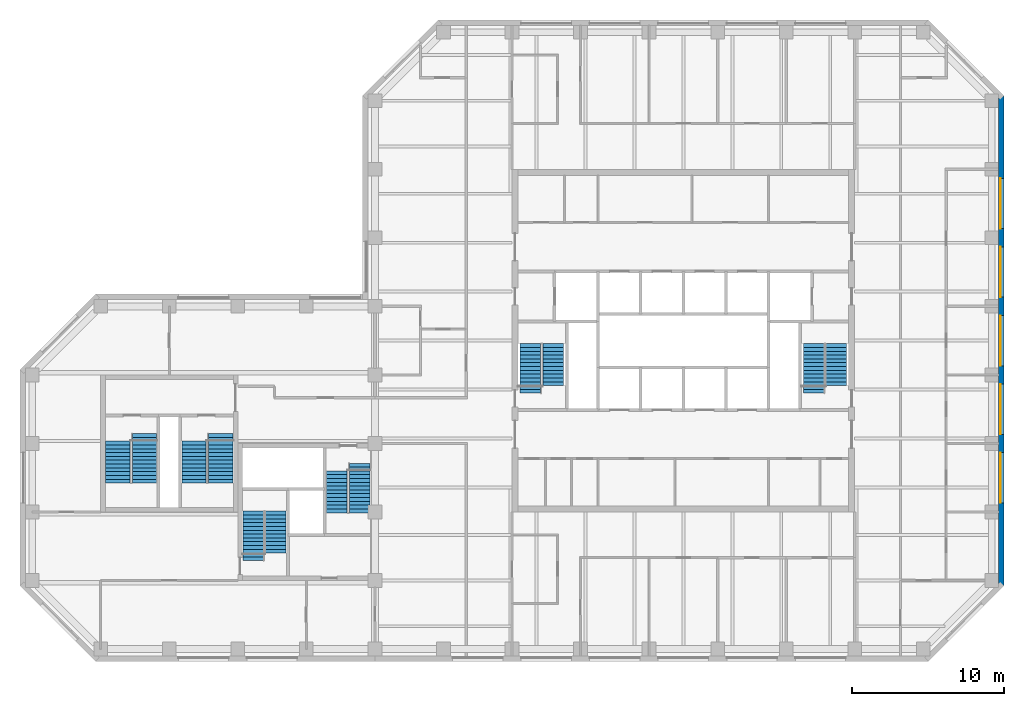
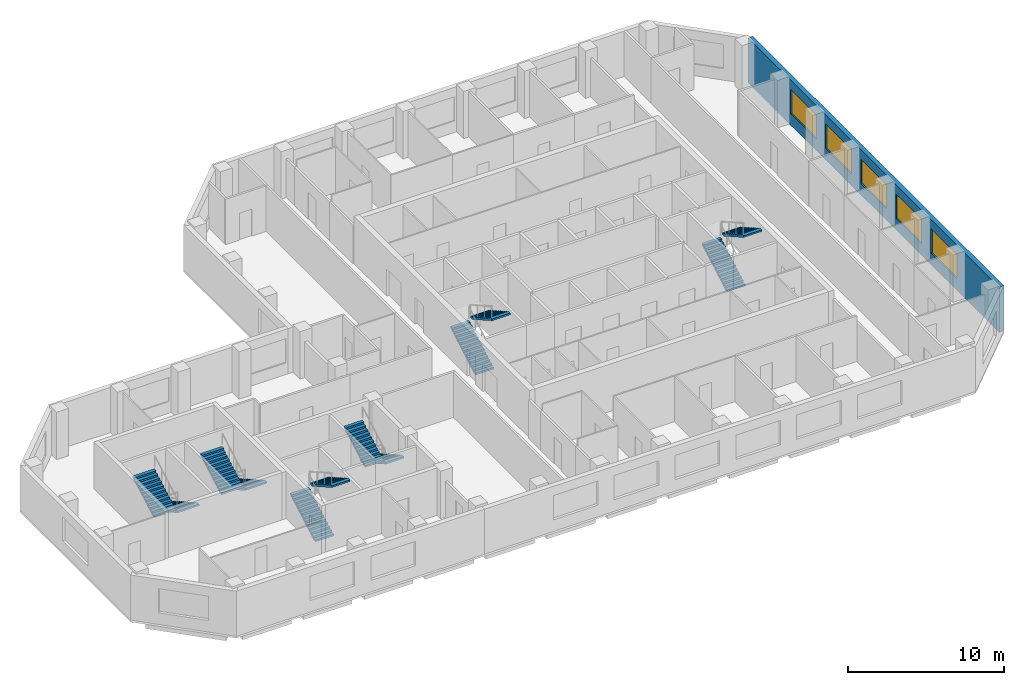
# One storey, part 8 of 9: 12 stair flights, 5 windows, 1 wall, 5 openings, 6 elements without a shape of their own.
"""IFC4 building model written with IfcOpenShell, lengths in metres."""

from ifc_helpers import new_model, si_unit, direction, frame, frame_2d, origin, place, context, subcontext, project, spatial, polyline, rectangle, outline, extrude, material, layer, layer_set, constituent, constituent_set, type_object, element, fill, aggregate, save


model = new_model("IFC4")

# Units and contexts
model_context = context("Model", 3, precision=1e-05, world=origin(), true_north=direction((0.0, 1.0)))
body_context = subcontext(model_context, "Body", "Model", "MODEL_VIEW")
ifc_project = project(units=[si_unit("LENGTHUNIT", "METRE"), si_unit("AREAUNIT", "SQUARE_METRE"), si_unit("VOLUMEUNIT", "CUBIC_METRE"), si_unit("PLANEANGLEUNIT", "RADIAN"), si_unit("MASSUNIT", "GRAM", prefix="KILO")], contexts=[model_context])

# Site, building, storey
site_placement = place(None, origin())
site = spatial("IfcSite", under=ifc_project, at=site_placement, CompositionType="ELEMENT")
building_placement = place(site_placement, origin())
building = spatial("IfcBuilding", under=site, at=building_placement, Name="Quoin Convention Tower", CompositionType="ELEMENT")
storey_placement = place(building_placement, frame((0.0, 0.0, 147.699951171875)))
storey = spatial("IfcBuildingStorey", under=building, at=storey_placement, Name="L38", CompositionType="ELEMENT", Elevation=147.699951171875)

# Wall, openings, windows
ifc_material_1 = material(Name="Brick masonry", Category="masonry")
ifc_layer = layer(ifc_material_1, 0.35009765625)
ifc_layer_set = layer_set([ifc_layer], Name="Brick masonry")
wall_type = type_object("IfcWallType", Name="Brick facade wall", PredefinedType="STANDARD", material=ifc_layer_set)
wall_placement = place(storey_placement, frame((77.125, 44.668701171875, 0.0), z_axis=(0.0, 0.0, 1.0), x_axis=(0.0, 1.0, 0.0)))
wall = element("IfcWall", 1, at=wall_placement, inside=storey, type_object=wall_type, Name="fw-L38-76500_45000", PredefinedType="STANDARD", context=body_context, shape_type="SweptSolid", body=[
    extrude(rectangle(XDim=32.16259765625, YDim=0.35009765625, at=frame_2d((16.081298828125, 0.0))), origin(), (0.0, 0.0, 1.0), 3.525146484375),
])
opening_1_placement = place(wall_placement, frame((5.431396484375, 0.0, 0.89990234375)))
opening_1 = element("IfcOpeningElement", 2, at=opening_1_placement, cuts=wall, Name="Opening W-02", PredefinedType="OPENING", context=body_context, shape_type="SweptSolid", body=[
    extrude(rectangle(XDim=3.300048828125, YDim=1.89990234375, at=frame_2d((1.64990234375, 0.949951171875))), frame((0.0, 0.18505859375, 0.0), z_axis=(0.0, -1.0, 0.0), x_axis=(1.0, 0.0, 0.0)), (0.0, 0.0, 1.0), 0.3701171875),
])
opening_2_placement = place(wall_placement, frame((9.931396484375, 0.0, 0.89990234375)))
opening_2 = element("IfcOpeningElement", 3, at=opening_2_placement, cuts=wall, Name="Opening W-02", PredefinedType="OPENING", context=body_context, shape_type="SweptSolid", body=[
    extrude(rectangle(XDim=3.300048828125, YDim=1.89990234375, at=frame_2d((1.64990234375, 0.949951171875))), frame((0.0, 0.18505859375, 0.0), z_axis=(0.0, -1.0, 0.0), x_axis=(1.0, 0.0, 0.0)), (0.0, 0.0, 1.0), 0.3701171875),
])
opening_3_placement = place(wall_placement, frame((14.431396484375, 0.0, 0.89990234375)))
opening_3 = element("IfcOpeningElement", 4, at=opening_3_placement, cuts=wall, Name="Opening W-02", PredefinedType="OPENING", context=body_context, shape_type="SweptSolid", body=[
    extrude(rectangle(XDim=3.300048828125, YDim=1.89990234375, at=frame_2d((1.64990234375, 0.949951171875))), frame((0.0, 0.18505859375, 0.0), z_axis=(0.0, -1.0, 0.0), x_axis=(1.0, 0.0, 0.0)), (0.0, 0.0, 1.0), 0.3701171875),
])
opening_4_placement = place(wall_placement, frame((18.931396484375, 0.0, 0.89990234375)))
opening_4 = element("IfcOpeningElement", 5, at=opening_4_placement, cuts=wall, Name="Opening W-02", PredefinedType="OPENING", context=body_context, shape_type="SweptSolid", body=[
    extrude(rectangle(XDim=3.300048828125, YDim=1.89990234375, at=frame_2d((1.64990234375, 0.949951171875))), frame((0.0, 0.18505859375, 0.0), z_axis=(0.0, -1.0, 0.0), x_axis=(1.0, 0.0, 0.0)), (0.0, 0.0, 1.0), 0.3701171875),
])
opening_5_placement = place(wall_placement, frame((23.431396484375, 0.0, 0.89990234375)))
opening_5 = element("IfcOpeningElement", 6, at=opening_5_placement, cuts=wall, Name="Opening W-02", PredefinedType="OPENING", context=body_context, shape_type="SweptSolid", body=[
    extrude(rectangle(XDim=3.300048828125, YDim=1.89990234375, at=frame_2d((1.64990234375, 0.949951171875))), frame((0.0, 0.18505859375, 0.0), z_axis=(0.0, -1.0, 0.0), x_axis=(1.0, 0.0, 0.0)), (0.0, 0.0, 1.0), 0.3701171875),
])
ifc_material_2 = material(Name="Aluminium", Category="aluminium")
ifc_constituent_1 = constituent(ifc_material_2, Name="Frame")
ifc_material_3 = material(Name="Insulated glass", Category="glass")
ifc_constituent_2 = constituent(ifc_material_3, Name="Glazing")
ifc_constituent_set = constituent_set(constituents=[ifc_constituent_1, ifc_constituent_2], Name="Aluminium")
window_type = type_object("IfcWindowType", Name="Office window", PartitioningType="DOUBLE_PANEL_VERTICAL", PredefinedType="WINDOW", material=ifc_constituent_set)
window_1_placement = place(opening_1_placement, origin())
window_1 = element("IfcWindow", 7, at=window_1_placement, inside=storey, type_object=window_type, Name="win-L38-77125_51750", OverallHeight=1.89990234375, OverallWidth=3.300048828125, PartitioningType="SINGLE_PANEL", PredefinedType="WINDOW", context=body_context, shape_type="SweptSolid", body=[
    extrude(rectangle(XDim=3.300048828125, YDim=1.89990234375, at=frame_2d((1.64990234375, 0.949951171875))), frame((0.0, 0.0849609375, 0.0), z_axis=(0.0, -1.0, 0.0), x_axis=(1.0, 0.0, 0.0)), (0.0, 0.0, 1.0), 0.06005859375),
])
fill(opening_1, window_1)
window_2_placement = place(opening_2_placement, origin())
window_2 = element("IfcWindow", 8, at=window_2_placement, inside=storey, type_object=window_type, Name="win-L38-77125_56250", OverallHeight=1.89990234375, OverallWidth=3.300048828125, PartitioningType="SINGLE_PANEL", PredefinedType="WINDOW", context=body_context, shape_type="SweptSolid", body=[
    extrude(rectangle(XDim=3.300048828125, YDim=1.89990234375, at=frame_2d((1.64990234375, 0.949951171875))), frame((0.0, 0.0849609375, 0.0), z_axis=(0.0, -1.0, 0.0), x_axis=(1.0, 0.0, 0.0)), (0.0, 0.0, 1.0), 0.06005859375),
])
fill(opening_2, window_2)
window_3_placement = place(opening_3_placement, origin())
window_3 = element("IfcWindow", 9, at=window_3_placement, inside=storey, type_object=window_type, Name="win-L38-77125_60750", OverallHeight=1.89990234375, OverallWidth=3.300048828125, PartitioningType="SINGLE_PANEL", PredefinedType="WINDOW", context=body_context, shape_type="SweptSolid", body=[
    extrude(rectangle(XDim=3.300048828125, YDim=1.89990234375, at=frame_2d((1.64990234375, 0.949951171875))), frame((0.0, 0.0849609375, 0.0), z_axis=(0.0, -1.0, 0.0), x_axis=(1.0, 0.0, 0.0)), (0.0, 0.0, 1.0), 0.06005859375),
])
fill(opening_3, window_3)
window_4_placement = place(opening_4_placement, origin())
window_4 = element("IfcWindow", 10, at=window_4_placement, inside=storey, type_object=window_type, Name="win-L38-77125_65250", OverallHeight=1.89990234375, OverallWidth=3.300048828125, PartitioningType="SINGLE_PANEL", PredefinedType="WINDOW", context=body_context, shape_type="SweptSolid", body=[
    extrude(rectangle(XDim=3.300048828125, YDim=1.89990234375, at=frame_2d((1.64990234375, 0.949951171875))), frame((0.0, 0.0849609375, 0.0), z_axis=(0.0, -1.0, 0.0), x_axis=(1.0, 0.0, 0.0)), (0.0, 0.0, 1.0), 0.06005859375),
])
fill(opening_4, window_4)
window_5_placement = place(opening_5_placement, origin())
window_5 = element("IfcWindow", 11, at=window_5_placement, inside=storey, type_object=window_type, Name="win-L38-77125_69750", OverallHeight=1.89990234375, OverallWidth=3.300048828125, PartitioningType="SINGLE_PANEL", PredefinedType="WINDOW", context=body_context, shape_type="SweptSolid", body=[
    extrude(rectangle(XDim=3.300048828125, YDim=1.89990234375, at=frame_2d((1.64990234375, 0.949951171875))), frame((0.0, 0.0849609375, 0.0), z_axis=(0.0, -1.0, 0.0), x_axis=(1.0, 0.0, 0.0)), (0.0, 0.0, 1.0), 0.06005859375),
])
fill(opening_5, window_5)

# Stair, stair flights
ifc_material_4 = material(Name="Concrete C40", Category="concrete")
stair_type_1 = type_object("IfcStairType", Name="Exit stair two-flight 1350", PredefinedType="HALF_TURN_STAIR", material=ifc_material_4)
stair_1_placement = place(storey_placement, origin())
stair_1 = element("IfcStair", 12, at=stair_1_placement, inside=storey, type_object=stair_type_1, Name="SD1 L38", PredefinedType="HALF_TURN_STAIR")
stair_flight_type_1 = type_object("IfcStairFlightType", Name="Stair flight 1350", PredefinedType="STRAIGHT", material=ifc_material_4)
stair_flight_1_placement = place(storey_placement, frame((46.199951171875, 57.300048828125, 0.0), z_axis=(0.0, 0.0, 1.0), x_axis=(0.0, 1.0, 0.0)))
stair_flight_1 = element("IfcStairFlight", 13, at=stair_flight_1_placement, type_object=stair_flight_type_1, Name="ST1 flight 1", NumberOfRisers=14, NumberOfTreads=13, PredefinedType="STRAIGHT", RiserHeight=0.142307692, TreadLength=0.25, context=body_context, shape_type="SweptSolid", body=[
    extrude(outline(polyline([(0.0, 0.0), (0.0, 0.142333984375), (0.25, 0.142333984375), (0.25, 0.28466796875), (0.5, 0.28466796875), (0.5, 0.427001953125), (0.75, 0.427001953125), (0.75, 0.5693359375), (1.0, 0.5693359375), (1.0, 0.71142578125), (1.25, 0.71142578125), (1.25, 0.853759765625), (1.5, 0.853759765625), (1.5, 0.99609375), (1.75, 0.99609375), (1.75, 1.138427734375), (2.0, 1.138427734375), (2.0, 1.28076171875), (2.25, 1.28076171875), (2.25, 1.423095703125), (2.5, 1.423095703125), (2.5, 1.5654296875), (2.75, 1.5654296875), (2.75, 1.707763671875), (3.0, 1.707763671875), (3.0, 1.85009765625), (3.25, 1.85009765625), (3.25, 1.9921875), (3.25, 1.711669921875), (0.242919921875, 0.0), (0.0, 0.0)])), frame((0.0, 0.675048828125, 0.0), z_axis=(0.0, -1.0, 0.0), x_axis=(1.0, 0.0, 0.0)), (0.0, 0.0, 1.0), 1.35009765625),
])
stair_flight_2_placement = place(storey_placement, frame((47.699951171875, 60.550048828125, 1.992431640625), z_axis=(0.0, 0.0, 1.0), x_axis=(0.0, -1.0, 0.0)))
stair_flight_2 = element("IfcStairFlight", 14, at=stair_flight_2_placement, type_object=stair_flight_type_1, Name="ST1 flight 2", NumberOfRisers=12, NumberOfTreads=11, PredefinedType="STRAIGHT", RiserHeight=0.142307692, TreadLength=0.25, context=body_context, shape_type="SweptSolid", body=[
    extrude(outline(polyline([(0.0, 0.0), (0.0, 0.142333984375), (0.25, 0.142333984375), (0.25, 0.28466796875), (0.5, 0.28466796875), (0.5, 0.427001953125), (0.75, 0.427001953125), (0.75, 0.5693359375), (1.0, 0.5693359375), (1.0, 0.71142578125), (1.25, 0.71142578125), (1.25, 0.853759765625), (1.5, 0.853759765625), (1.5, 0.99609375), (1.75, 0.99609375), (1.75, 1.138427734375), (2.0, 1.138427734375), (2.0, 1.28076171875), (2.25, 1.28076171875), (2.25, 1.423095703125), (2.5, 1.423095703125), (2.5, 1.5654296875), (2.75, 1.5654296875), (2.75, 1.707763671875), (2.75, 1.42724609375), (0.242919921875, 0.0), (0.0, 0.0)])), frame((0.0, 0.675048828125, 0.0), z_axis=(0.0, -1.0, 0.0), x_axis=(1.0, 0.0, 0.0)), (0.0, 0.0, 1.0), 1.35009765625),
])
aggregate(stair_1, [stair_flight_1, stair_flight_2])

stair_2_placement = place(storey_placement, origin())
stair_2 = element("IfcStair", 15, at=stair_2_placement, inside=storey, type_object=stair_type_1, Name="SD2 L38", PredefinedType="HALF_TURN_STAIR")
stair_flight_3_placement = place(storey_placement, frame((64.800048828125, 57.300048828125, 0.0), z_axis=(0.0, 0.0, 1.0), x_axis=(0.0, 1.0, 0.0)))
stair_flight_3 = element("IfcStairFlight", 16, at=stair_flight_3_placement, type_object=stair_flight_type_1, Name="ST2 flight 1", NumberOfRisers=14, NumberOfTreads=13, PredefinedType="STRAIGHT", RiserHeight=0.142307692, TreadLength=0.25, context=body_context, shape_type="SweptSolid", body=[
    extrude(outline(polyline([(0.0, 0.0), (0.0, 0.142333984375), (0.25, 0.142333984375), (0.25, 0.28466796875), (0.5, 0.28466796875), (0.5, 0.427001953125), (0.75, 0.427001953125), (0.75, 0.5693359375), (1.0, 0.5693359375), (1.0, 0.71142578125), (1.25, 0.71142578125), (1.25, 0.853759765625), (1.5, 0.853759765625), (1.5, 0.99609375), (1.75, 0.99609375), (1.75, 1.138427734375), (2.0, 1.138427734375), (2.0, 1.28076171875), (2.25, 1.28076171875), (2.25, 1.423095703125), (2.5, 1.423095703125), (2.5, 1.5654296875), (2.75, 1.5654296875), (2.75, 1.707763671875), (3.0, 1.707763671875), (3.0, 1.85009765625), (3.25, 1.85009765625), (3.25, 1.9921875), (3.25, 1.711669921875), (0.242919921875, 0.0), (0.0, 0.0)])), frame((0.0, 0.675048828125, 0.0), z_axis=(0.0, -1.0, 0.0), x_axis=(1.0, 0.0, 0.0)), (0.0, 0.0, 1.0), 1.35009765625),
])
stair_flight_4_placement = place(storey_placement, frame((66.300048828125, 60.550048828125, 1.992431640625), z_axis=(0.0, 0.0, 1.0), x_axis=(0.0, -1.0, 0.0)))
stair_flight_4 = element("IfcStairFlight", 17, at=stair_flight_4_placement, type_object=stair_flight_type_1, Name="ST2 flight 2", NumberOfRisers=12, NumberOfTreads=11, PredefinedType="STRAIGHT", RiserHeight=0.142307692, TreadLength=0.25, context=body_context, shape_type="SweptSolid", body=[
    extrude(outline(polyline([(0.0, 0.0), (0.0, 0.142333984375), (0.25, 0.142333984375), (0.25, 0.28466796875), (0.5, 0.28466796875), (0.5, 0.427001953125), (0.75, 0.427001953125), (0.75, 0.5693359375), (1.0, 0.5693359375), (1.0, 0.71142578125), (1.25, 0.71142578125), (1.25, 0.853759765625), (1.5, 0.853759765625), (1.5, 0.99609375), (1.75, 0.99609375), (1.75, 1.138427734375), (2.0, 1.138427734375), (2.0, 1.28076171875), (2.25, 1.28076171875), (2.25, 1.423095703125), (2.5, 1.423095703125), (2.5, 1.5654296875), (2.75, 1.5654296875), (2.75, 1.707763671875), (2.75, 1.42724609375), (0.242919921875, 0.0), (0.0, 0.0)])), frame((0.0, 0.675048828125, 0.0), z_axis=(0.0, -1.0, 0.0), x_axis=(1.0, 0.0, 0.0)), (0.0, 0.0, 1.0), 1.35009765625),
])
aggregate(stair_2, [stair_flight_3, stair_flight_4])

stair_3_placement = place(storey_placement, origin())
stair_3 = element("IfcStair", 18, at=stair_3_placement, inside=storey, type_object=stair_type_1, Name="SD3 L38", PredefinedType="HALF_TURN_STAIR")
stair_flight_5_placement = place(storey_placement, frame((28.0, 46.300048828125, 0.0), z_axis=(0.0, 0.0, 1.0), x_axis=(0.0, 1.0, 0.0)))
stair_flight_5 = element("IfcStairFlight", 19, at=stair_flight_5_placement, type_object=stair_flight_type_1, Name="ST3 flight 1", NumberOfRisers=14, NumberOfTreads=13, PredefinedType="STRAIGHT", RiserHeight=0.142307692, TreadLength=0.25, context=body_context, shape_type="SweptSolid", body=[
    extrude(outline(polyline([(0.0, 0.0), (0.0, 0.142333984375), (0.25, 0.142333984375), (0.25, 0.28466796875), (0.5, 0.28466796875), (0.5, 0.427001953125), (0.75, 0.427001953125), (0.75, 0.5693359375), (1.0, 0.5693359375), (1.0, 0.71142578125), (1.25, 0.71142578125), (1.25, 0.853759765625), (1.5, 0.853759765625), (1.5, 0.99609375), (1.75, 0.99609375), (1.75, 1.138427734375), (2.0, 1.138427734375), (2.0, 1.28076171875), (2.25, 1.28076171875), (2.25, 1.423095703125), (2.5, 1.423095703125), (2.5, 1.5654296875), (2.75, 1.5654296875), (2.75, 1.707763671875), (3.0, 1.707763671875), (3.0, 1.85009765625), (3.25, 1.85009765625), (3.25, 1.9921875), (3.25, 1.711669921875), (0.242919921875, 0.0), (0.0, 0.0)])), frame((0.0, 0.675048828125, 0.0), z_axis=(0.0, -1.0, 0.0), x_axis=(1.0, 0.0, 0.0)), (0.0, 0.0, 1.0), 1.35009765625),
])
stair_flight_6_placement = place(storey_placement, frame((29.5, 49.550048828125, 1.992431640625), z_axis=(0.0, 0.0, 1.0), x_axis=(0.0, -1.0, 0.0)))
stair_flight_6 = element("IfcStairFlight", 20, at=stair_flight_6_placement, type_object=stair_flight_type_1, Name="ST3 flight 2", NumberOfRisers=12, NumberOfTreads=11, PredefinedType="STRAIGHT", RiserHeight=0.142307692, TreadLength=0.25, context=body_context, shape_type="SweptSolid", body=[
    extrude(outline(polyline([(0.0, 0.0), (0.0, 0.142333984375), (0.25, 0.142333984375), (0.25, 0.28466796875), (0.5, 0.28466796875), (0.5, 0.427001953125), (0.75, 0.427001953125), (0.75, 0.5693359375), (1.0, 0.5693359375), (1.0, 0.71142578125), (1.25, 0.71142578125), (1.25, 0.853759765625), (1.5, 0.853759765625), (1.5, 0.99609375), (1.75, 0.99609375), (1.75, 1.138427734375), (2.0, 1.138427734375), (2.0, 1.28076171875), (2.25, 1.28076171875), (2.25, 1.423095703125), (2.5, 1.423095703125), (2.5, 1.5654296875), (2.75, 1.5654296875), (2.75, 1.707763671875), (2.75, 1.42724609375), (0.242919921875, 0.0), (0.0, 0.0)])), frame((0.0, 0.675048828125, 0.0), z_axis=(0.0, -1.0, 0.0), x_axis=(1.0, 0.0, 0.0)), (0.0, 0.0, 1.0), 1.35009765625),
])
aggregate(stair_3, [stair_flight_5, stair_flight_6])

stair_4_placement = place(storey_placement, origin())
stair_4 = element("IfcStair", 21, at=stair_4_placement, inside=storey, type_object=stair_type_1, Name="SD4 L38", PredefinedType="HALF_TURN_STAIR")
stair_flight_7_placement = place(storey_placement, frame((35.0, 52.699951171875, 0.0), z_axis=(0.0, 0.0, 1.0), x_axis=(0.0, -1.0, 0.0)))
stair_flight_7 = element("IfcStairFlight", 22, at=stair_flight_7_placement, type_object=stair_flight_type_1, Name="ST4 flight 1", NumberOfRisers=14, NumberOfTreads=13, PredefinedType="STRAIGHT", RiserHeight=0.142307692, TreadLength=0.25, context=body_context, shape_type="SweptSolid", body=[
    extrude(outline(polyline([(0.0, 0.0), (0.0, 0.142333984375), (0.25, 0.142333984375), (0.25, 0.28466796875), (0.5, 0.28466796875), (0.5, 0.427001953125), (0.75, 0.427001953125), (0.75, 0.5693359375), (1.0, 0.5693359375), (1.0, 0.71142578125), (1.25, 0.71142578125), (1.25, 0.853759765625), (1.5, 0.853759765625), (1.5, 0.99609375), (1.75, 0.99609375), (1.75, 1.138427734375), (2.0, 1.138427734375), (2.0, 1.28076171875), (2.25, 1.28076171875), (2.25, 1.423095703125), (2.5, 1.423095703125), (2.5, 1.5654296875), (2.75, 1.5654296875), (2.75, 1.707763671875), (3.0, 1.707763671875), (3.0, 1.85009765625), (3.25, 1.85009765625), (3.25, 1.9921875), (3.25, 1.711669921875), (0.242919921875, 0.0), (0.0, 0.0)])), frame((0.0, 0.675048828125, 0.0), z_axis=(0.0, -1.0, 0.0), x_axis=(1.0, 0.0, 0.0)), (0.0, 0.0, 1.0), 1.35009765625),
])
stair_flight_8_placement = place(storey_placement, frame((33.5, 49.449951171875, 1.992431640625), z_axis=(0.0, 0.0, 1.0), x_axis=(0.0, 1.0, 0.0)))
stair_flight_8 = element("IfcStairFlight", 23, at=stair_flight_8_placement, type_object=stair_flight_type_1, Name="ST4 flight 2", NumberOfRisers=12, NumberOfTreads=11, PredefinedType="STRAIGHT", RiserHeight=0.142307692, TreadLength=0.25, context=body_context, shape_type="SweptSolid", body=[
    extrude(outline(polyline([(0.0, 0.0), (0.0, 0.142333984375), (0.25, 0.142333984375), (0.25, 0.28466796875), (0.5, 0.28466796875), (0.5, 0.427001953125), (0.75, 0.427001953125), (0.75, 0.5693359375), (1.0, 0.5693359375), (1.0, 0.71142578125), (1.25, 0.71142578125), (1.25, 0.853759765625), (1.5, 0.853759765625), (1.5, 0.99609375), (1.75, 0.99609375), (1.75, 1.138427734375), (2.0, 1.138427734375), (2.0, 1.28076171875), (2.25, 1.28076171875), (2.25, 1.423095703125), (2.5, 1.423095703125), (2.5, 1.5654296875), (2.75, 1.5654296875), (2.75, 1.707763671875), (2.75, 1.42724609375), (0.242919921875, 0.0), (0.0, 0.0)])), frame((0.0, 0.675048828125, 0.0), z_axis=(0.0, -1.0, 0.0), x_axis=(1.0, 0.0, 0.0)), (0.0, 0.0, 1.0), 1.35009765625),
])
aggregate(stair_4, [stair_flight_7, stair_flight_8])

stair_type_2 = type_object("IfcStairType", Name="Exit stair two-flight 1600", PredefinedType="HALF_TURN_STAIR", material=ifc_material_4)
stair_5_placement = place(storey_placement, origin())
stair_5 = element("IfcStair", 24, at=stair_5_placement, inside=storey, type_object=stair_type_2, Name="SD11 L38", PredefinedType="HALF_TURN_STAIR")
stair_flight_type_2 = type_object("IfcStairFlightType", Name="Stair flight 1600", PredefinedType="STRAIGHT", material=ifc_material_4)
stair_flight_9_placement = place(storey_placement, frame((20.875, 54.64990234375, 0.0), z_axis=(0.0, 0.0, 1.0), x_axis=(0.0, -1.0, 0.0)))
stair_flight_9 = element("IfcStairFlight", 25, at=stair_flight_9_placement, type_object=stair_flight_type_2, Name="ST11 flight 1", NumberOfRisers=14, NumberOfTreads=13, PredefinedType="STRAIGHT", RiserHeight=0.142307692, TreadLength=0.25, context=body_context, shape_type="SweptSolid", body=[
    extrude(outline(polyline([(0.0, 0.0), (0.0, 0.142333984375), (0.25, 0.142333984375), (0.25, 0.28466796875), (0.5, 0.28466796875), (0.5, 0.427001953125), (0.75, 0.427001953125), (0.75, 0.5693359375), (1.0, 0.5693359375), (1.0, 0.71142578125), (1.25, 0.71142578125), (1.25, 0.853759765625), (1.5, 0.853759765625), (1.5, 0.99609375), (1.75, 0.99609375), (1.75, 1.138427734375), (2.0, 1.138427734375), (2.0, 1.28076171875), (2.25, 1.28076171875), (2.25, 1.423095703125), (2.5, 1.423095703125), (2.5, 1.5654296875), (2.75, 1.5654296875), (2.75, 1.707763671875), (3.0, 1.707763671875), (3.0, 1.85009765625), (3.25, 1.85009765625), (3.25, 1.9921875), (3.25, 1.711669921875), (0.242919921875, 0.0), (0.0, 0.0)])), frame((0.0, 0.800048828125, 0.0), z_axis=(0.0, -1.0, 0.0), x_axis=(1.0, 0.0, 0.0)), (0.0, 0.0, 1.0), 1.60009765625),
])
stair_flight_10_placement = place(storey_placement, frame((19.125, 51.39990234375, 1.992431640625), z_axis=(0.0, 0.0, 1.0), x_axis=(0.0, 1.0, 0.0)))
stair_flight_10 = element("IfcStairFlight", 26, at=stair_flight_10_placement, type_object=stair_flight_type_2, Name="ST11 flight 2", NumberOfRisers=12, NumberOfTreads=11, PredefinedType="STRAIGHT", RiserHeight=0.142307692, TreadLength=0.25, context=body_context, shape_type="SweptSolid", body=[
    extrude(outline(polyline([(0.0, 0.0), (0.0, 0.142333984375), (0.25, 0.142333984375), (0.25, 0.28466796875), (0.5, 0.28466796875), (0.5, 0.427001953125), (0.75, 0.427001953125), (0.75, 0.5693359375), (1.0, 0.5693359375), (1.0, 0.71142578125), (1.25, 0.71142578125), (1.25, 0.853759765625), (1.5, 0.853759765625), (1.5, 0.99609375), (1.75, 0.99609375), (1.75, 1.138427734375), (2.0, 1.138427734375), (2.0, 1.28076171875), (2.25, 1.28076171875), (2.25, 1.423095703125), (2.5, 1.423095703125), (2.5, 1.5654296875), (2.75, 1.5654296875), (2.75, 1.707763671875), (2.75, 1.42724609375), (0.242919921875, 0.0), (0.0, 0.0)])), frame((0.0, 0.800048828125, 0.0), z_axis=(0.0, -1.0, 0.0), x_axis=(1.0, 0.0, 0.0)), (0.0, 0.0, 1.0), 1.60009765625),
])
aggregate(stair_5, [stair_flight_9, stair_flight_10])

stair_6_placement = place(storey_placement, origin())
stair_6 = element("IfcStair", 27, at=stair_6_placement, inside=storey, type_object=stair_type_2, Name="SD12 L38", PredefinedType="HALF_TURN_STAIR")
stair_flight_11_placement = place(storey_placement, frame((25.875, 54.64990234375, 0.0), z_axis=(0.0, 0.0, 1.0), x_axis=(0.0, -1.0, 0.0)))
stair_flight_11 = element("IfcStairFlight", 28, at=stair_flight_11_placement, type_object=stair_flight_type_2, Name="ST12 flight 1", NumberOfRisers=14, NumberOfTreads=13, PredefinedType="STRAIGHT", RiserHeight=0.142307692, TreadLength=0.25, context=body_context, shape_type="SweptSolid", body=[
    extrude(outline(polyline([(0.0, 0.0), (0.0, 0.142333984375), (0.25, 0.142333984375), (0.25, 0.28466796875), (0.5, 0.28466796875), (0.5, 0.427001953125), (0.75, 0.427001953125), (0.75, 0.5693359375), (1.0, 0.5693359375), (1.0, 0.71142578125), (1.25, 0.71142578125), (1.25, 0.853759765625), (1.5, 0.853759765625), (1.5, 0.99609375), (1.75, 0.99609375), (1.75, 1.138427734375), (2.0, 1.138427734375), (2.0, 1.28076171875), (2.25, 1.28076171875), (2.25, 1.423095703125), (2.5, 1.423095703125), (2.5, 1.5654296875), (2.75, 1.5654296875), (2.75, 1.707763671875), (3.0, 1.707763671875), (3.0, 1.85009765625), (3.25, 1.85009765625), (3.25, 1.9921875), (3.25, 1.711669921875), (0.242919921875, 0.0), (0.0, 0.0)])), frame((0.0, 0.800048828125, 0.0), z_axis=(0.0, -1.0, 0.0), x_axis=(1.0, 0.0, 0.0)), (0.0, 0.0, 1.0), 1.60009765625),
])
stair_flight_12_placement = place(storey_placement, frame((24.125, 51.39990234375, 1.992431640625), z_axis=(0.0, 0.0, 1.0), x_axis=(0.0, 1.0, 0.0)))
stair_flight_12 = element("IfcStairFlight", 29, at=stair_flight_12_placement, type_object=stair_flight_type_2, Name="ST12 flight 2", NumberOfRisers=12, NumberOfTreads=11, PredefinedType="STRAIGHT", RiserHeight=0.142307692, TreadLength=0.25, context=body_context, shape_type="SweptSolid", body=[
    extrude(outline(polyline([(0.0, 0.0), (0.0, 0.142333984375), (0.25, 0.142333984375), (0.25, 0.28466796875), (0.5, 0.28466796875), (0.5, 0.427001953125), (0.75, 0.427001953125), (0.75, 0.5693359375), (1.0, 0.5693359375), (1.0, 0.71142578125), (1.25, 0.71142578125), (1.25, 0.853759765625), (1.5, 0.853759765625), (1.5, 0.99609375), (1.75, 0.99609375), (1.75, 1.138427734375), (2.0, 1.138427734375), (2.0, 1.28076171875), (2.25, 1.28076171875), (2.25, 1.423095703125), (2.5, 1.423095703125), (2.5, 1.5654296875), (2.75, 1.5654296875), (2.75, 1.707763671875), (2.75, 1.42724609375), (0.242919921875, 0.0), (0.0, 0.0)])), frame((0.0, 0.800048828125, 0.0), z_axis=(0.0, -1.0, 0.0), x_axis=(1.0, 0.0, 0.0)), (0.0, 0.0, 1.0), 1.60009765625),
])
aggregate(stair_6, [stair_flight_11, stair_flight_12])

save(model, "model.ifc")
